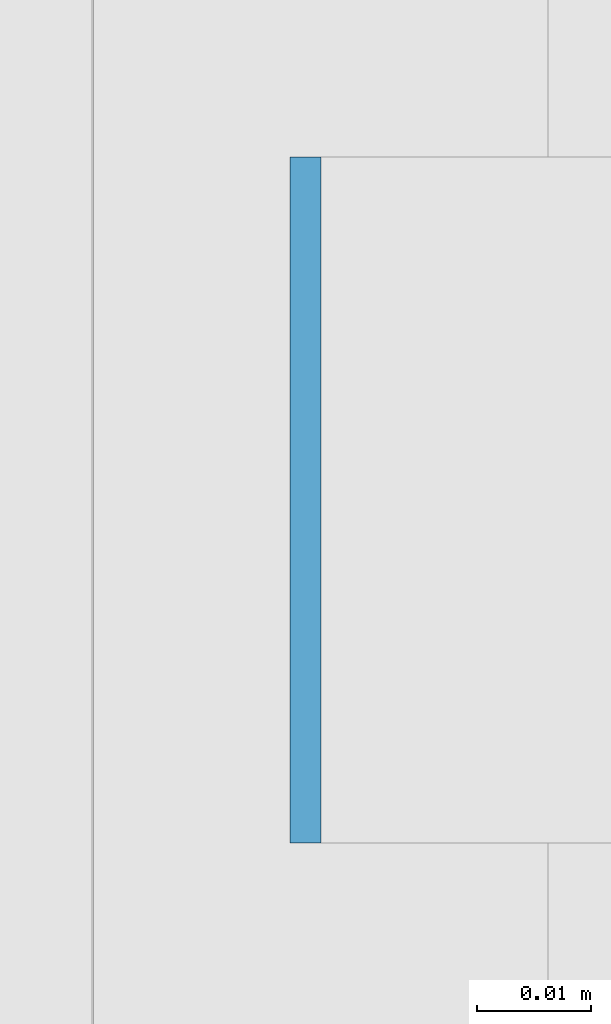
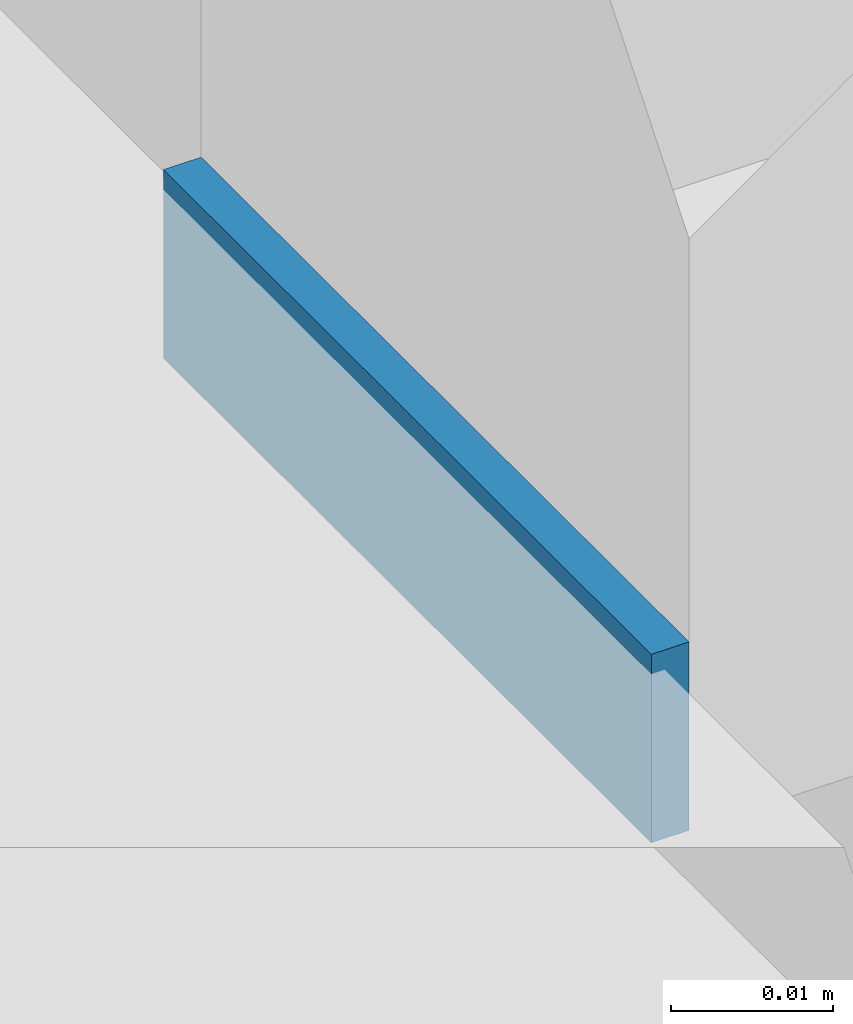
# One storey, part 530 of 646: 1 discrete accessory.
"""IFC4 building model written with IfcOpenShell, lengths in metres."""

import ifcopenshell
import ifcopenshell.guid

model = None  # the IFC model being written
_history = None  # IfcOwnerHistory: only IFC2X3 demands one
_inside = {}  # id of a spatial element -> (the spatial element, [elements in it])
_under = {}  # id of a project, library or spatial element -> (it, [spatial elements below it])
_declared = {}  # id of a project -> (the project, [libraries it declares])
_typed = {}  # id of a type object -> (the type object, [elements of that type])
_made_of = {}  # id of a material, layer set ... -> (it, [elements and type objects made of it])


def new_model(schema):
    """Start an empty IFC model of exactly this schema.

    Asked for "IFC4X3", IfcOpenShell would pick the latest addendum, in which some entities
    have other attributes; the version numbers below select the first issue.
    IFC2X3 requires an IfcOwnerHistory on every rooted entity: one is made here for all.
    """
    global model, _history
    if schema == "IFC4X3":
        model = ifcopenshell.file(schema_version=(4, 3, 0, 0))
    else:
        model = ifcopenshell.file(schema=schema)
    _inside.clear()
    _under.clear()
    _declared.clear()
    _typed.clear()
    _made_of.clear()
    _history = None
    if model.schema == "IFC2X3":
        org = make("IfcOrganization", Name="unknown")
        user = make(
            "IfcPersonAndOrganization",
            ThePerson=make("IfcPerson", FamilyName="unknown"),
            TheOrganization=org,
        )
        app = make(
            "IfcApplication",
            ApplicationDeveloper=org,
            Version="unknown",
            ApplicationFullName="unknown",
            ApplicationIdentifier="unknown",
        )
        _history = make(
            "IfcOwnerHistory",
            OwningUser=user,
            OwningApplication=app,
            ChangeAction="ADDED",
            CreationDate=0,
        )
    return model


def make(cls, **values):
    """One entity of the class cls with the attributes given. An attribute that is None is left unset."""
    return model.create_entity(
        cls, **{name: value for name, value in values.items() if value is not None}
    )


def rooted(cls, **values):
    """An entity with a GlobalId (a new one), such as an element, a storey or a relation."""
    return make(cls, GlobalId=ifcopenshell.guid.new(), OwnerHistory=_history, **values)


def si_unit(unit_type, name, prefix=None):
    """IfcSIUnit, for example si_unit("LENGTHUNIT", "METRE", prefix="MILLI")."""
    return make("IfcSIUnit", UnitType=unit_type, Prefix=prefix, Name=name)


def assignment(units):
    """IfcUnitAssignment: the units of a project."""
    return None if units is None else make("IfcUnitAssignment", Units=units)


def point(xyz):
    """IfcCartesianPoint."""
    return None if xyz is None else make("IfcCartesianPoint", Coordinates=xyz)


def direction(xyz):
    """IfcDirection."""
    return None if xyz is None else make("IfcDirection", DirectionRatios=xyz)


def frame(location, z_axis=None, x_axis=None):
    """IfcAxis2Placement3D, a coordinate frame: its origin and axes. An axis left out is left unset."""
    return make(
        "IfcAxis2Placement3D",
        Location=point(location),
        Axis=direction(z_axis),
        RefDirection=direction(x_axis),
    )


def frame_2d(location, x_axis=None):
    """IfcAxis2Placement2D, a coordinate frame in the plane: its origin and x axis."""
    return make(
        "IfcAxis2Placement2D", Location=point(location), RefDirection=direction(x_axis)
    )


def origin():
    """The frame at (0, 0, 0) with its axes left unset."""
    return frame((0.0, 0.0, 0.0))


def origin_2d():
    """The frame at (0, 0) in the plane with its x axis left unset."""
    return frame_2d((0.0, 0.0))


def place(relative_to, where):
    """IfcLocalPlacement: puts the frame where relative to a parent placement (None: the world)."""
    return make(
        "IfcLocalPlacement", PlacementRelTo=relative_to, RelativePlacement=where
    )


def context(
    kind, dimensions, precision=None, world=None, true_north=None, identifier=None
):
    """IfcGeometricRepresentationContext, for example the 3D "Model" context."""
    return make(
        "IfcGeometricRepresentationContext",
        ContextIdentifier=identifier,
        ContextType=kind,
        CoordinateSpaceDimension=dimensions,
        Precision=precision,
        WorldCoordinateSystem=world,
        TrueNorth=true_north,
    )


def subcontext(parent, identifier, kind, view, scale=None):
    """IfcGeometricRepresentationSubContext, for example "Body" below "Model"."""
    return make(
        "IfcGeometricRepresentationSubContext",
        ContextIdentifier=identifier,
        ContextType=kind,
        ParentContext=parent,
        TargetScale=scale,
        TargetView=view,
    )


def project(units=None, contexts=None):
    """IfcProject with its units and contexts."""
    return rooted(
        "IfcProject",
        Name="project",
        RepresentationContexts=contexts,
        UnitsInContext=assignment(units),
    )


def spatial(cls, under=None, at=None, **own):
    """A site, building, storey or space (cls), placed at a placement, below another one or the project."""
    s = rooted(cls, ObjectPlacement=at, **own)
    if under is not None:
        _under.setdefault(under.id(), (under, []))[1].append(s)
    return s


def profile(cls, at=None, kind="AREA", **sizes):
    """A parametric profile (cls). Its sizes go by their IFC names, for example OverallWidth=200.0."""
    return make(cls, ProfileType=kind, Position=at, **sizes)


def rectangle(**sizes):
    """IfcRectangleProfileDef."""
    return profile("IfcRectangleProfileDef", **sizes)


def extrude(swept, where, along, depth):
    """IfcExtrudedAreaSolid: the profile swept, set in the frame where, extruded along a direction by depth."""
    return make(
        "IfcExtrudedAreaSolid",
        SweptArea=swept,
        Position=where,
        ExtrudedDirection=direction(along),
        Depth=depth,
    )


def shape(context_of_items, identifier, shape_type, items):
    """IfcShapeRepresentation: the items that make up one representation, for example the "Body"."""
    return make(
        "IfcShapeRepresentation",
        ContextOfItems=context_of_items,
        RepresentationIdentifier=identifier,
        RepresentationType=shape_type,
        Items=items,
    )


def material(Name=None, Category=None):
    """IfcMaterial."""
    return make("IfcMaterial", Name=Name, Category=Category)


def made_of(thing, what):
    """Note that an element or type object is made of a material, layer set ...; save() writes the relation."""
    if what is not None:
        _made_of.setdefault(what.id(), (what, []))[1].append(thing)
    return thing


def type_object(cls, material=None, **own):
    """A type object (cls), such as IfcWallType, which elements share."""
    return made_of(rooted(cls, **own), material)


def element(
    cls,
    number,
    at=None,
    inside=None,
    cuts=None,
    type_object=None,
    material=None,
    context=None,
    identifier="Body",
    shape_type=None,
    held_by="IfcProductDefinitionShape",
    body=None,
    shapes=None,
    **own,
):
    """One element of the class cls, such as IfcWall. Its Tag is "e" and its number.

    at: its placement. inside: the storey or other place that contains it. cuts: it is an
    opening in that element (IfcRelVoidsElement). A single representation is given by context,
    identifier, shape_type and body (its items); several are given by shapes. held_by: the class
    of the entity that holds the representations. save() writes the other relations.
    """
    e = rooted(cls, Tag="e%d" % number, ObjectPlacement=at, **own)
    if body is not None:
        shapes = [shape(context, identifier, shape_type, body)]
    if shapes is not None:
        e.Representation = make(held_by, Representations=shapes)
    if inside is not None:
        _inside.setdefault(inside.id(), (inside, []))[1].append(e)
    if cuts is not None:
        rooted(
            "IfcRelVoidsElement", RelatingBuildingElement=cuts, RelatedOpeningElement=e
        )
    if type_object is not None:
        _typed.setdefault(type_object.id(), (type_object, []))[1].append(e)
    return made_of(e, material)


def aggregate(whole, parts):
    """IfcRelAggregates: a whole, such as a stair, and the parts it consists of."""
    return rooted("IfcRelAggregates", RelatingObject=whole, RelatedObjects=parts)


def save(model, path):
    """Write the relations noted so far, then the file.

    IfcRelAggregates (storeys below a building ...), IfcRelContainedInSpatialStructure (elements
    in a storey), IfcRelDefinesByType, IfcRelAssociatesMaterial and IfcRelDeclares: one each for
    every whole, place, type object, material and project.
    """
    for whole, parts in _under.values():
        aggregate(whole, parts)
    for where, things in _inside.values():
        rooted(
            "IfcRelContainedInSpatialStructure",
            RelatedElements=things,
            RelatingStructure=where,
        )
    for kind, things in _typed.values():
        rooted("IfcRelDefinesByType", RelatedObjects=things, RelatingType=kind)
    for what, things in _made_of.values():
        rooted("IfcRelAssociatesMaterial", RelatedObjects=things, RelatingMaterial=what)
    for by, libraries in _declared.values():
        rooted("IfcRelDeclares", RelatingContext=by, RelatedDefinitions=libraries)
    model.write(path)


model = new_model("IFC4")

# Units and contexts
model_context = context("Model", 3, precision=1e-05, world=origin(), true_north=direction((0.0, 1.0)))
body_context = subcontext(model_context, "Body", "Model", "MODEL_VIEW")
ifc_project = project(units=[si_unit("LENGTHUNIT", "METRE"), si_unit("AREAUNIT", "SQUARE_METRE"), si_unit("VOLUMEUNIT", "CUBIC_METRE"), si_unit("PLANEANGLEUNIT", "RADIAN"), si_unit("MASSUNIT", "GRAM", prefix="KILO")], contexts=[model_context])

# Site, building, storey
site_placement = place(None, origin())
site = spatial("IfcSite", under=ifc_project, at=site_placement, CompositionType="ELEMENT")
building_placement = place(site_placement, origin())
building = spatial("IfcBuilding", under=site, at=building_placement, Name="Silverbay Arena", CompositionType="ELEMENT")
storey_placement = place(building_placement, frame((0.0, 0.0, 33.5)))
storey = spatial("IfcBuildingStorey", under=building, at=storey_placement, Name="L05", CompositionType="ELEMENT", Elevation=33.5)

# Discrete accessory
ifc_material = material(Name="Steel S355", Category="steel")
discrete_accessory_type = type_object("IfcDiscreteAccessoryType", Name="Steel bracket plate", PredefinedType="BRACKET", material=ifc_material)
discrete_accessory_placement = place(storey_placement, frame((207.128662109375, 83.571533203125, 4.0), z_axis=(0.0, 0.0, 1.0), x_axis=(1.0, 0.0, 0.0)))
element("IfcDiscreteAccessory", 1, at=discrete_accessory_placement, inside=storey, type_object=discrete_accessory_type, Name="Curtain wall packing plate", PredefinedType="BRACKET", context=body_context, shape_type="SweptSolid", body=[
    extrude(rectangle(XDim=0.002685546875, YDim=0.06005859375, at=origin_2d()), origin(), (0.0, 0.0, 1.0), 0.01416015625),
])

save(model, "model.ifc")
